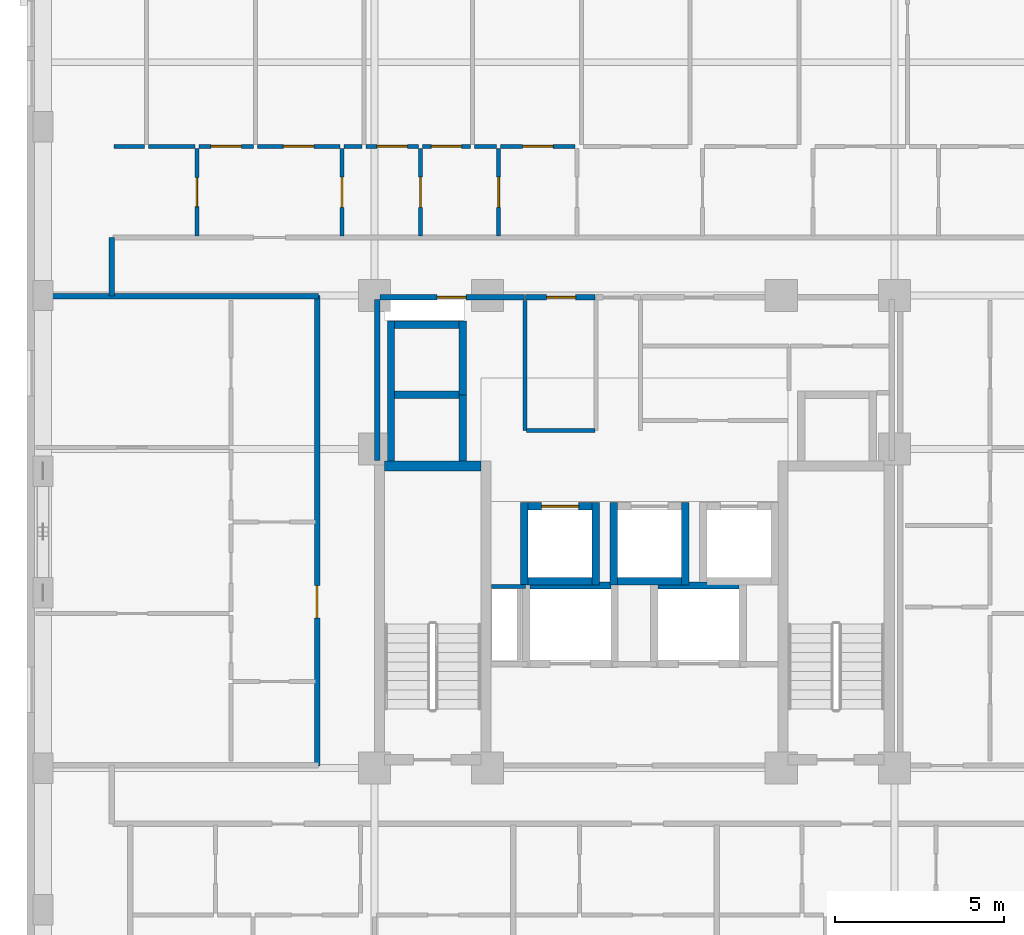
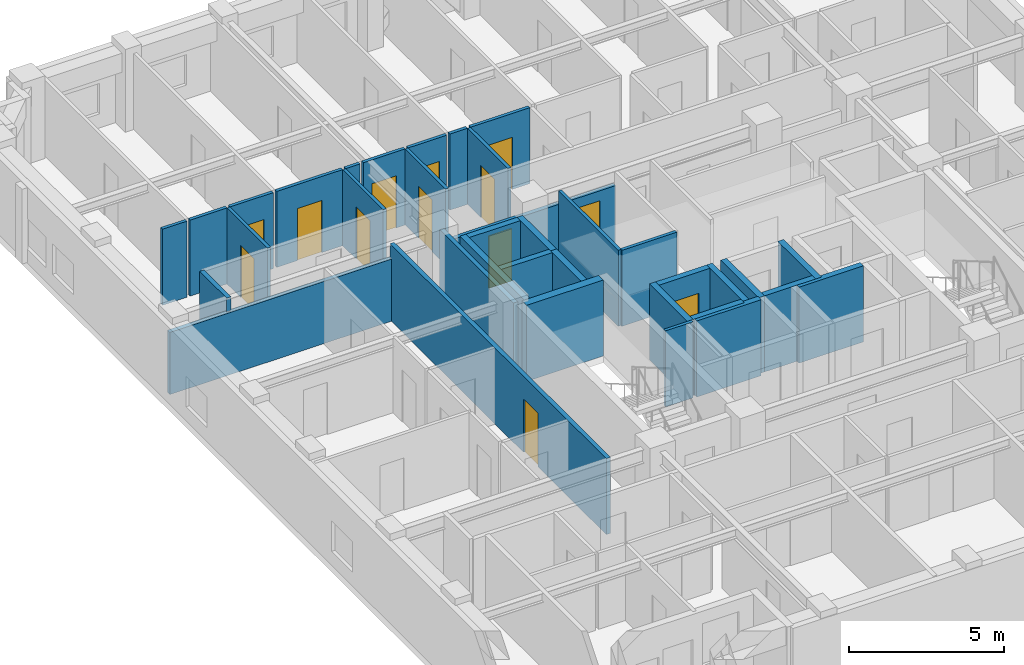
# One storey, part 5 of 11: 37 walls, 13 doors, 13 openings.
"""IFC4 building model written with IfcOpenShell, lengths in metres."""

from ifc_helpers import new_model, si_unit, derived_unit, direction, frame, frame_2d, origin, place, context, subcontext, project, spatial, rectangle, extrude, material, layer, layer_set, type_object, element, fill, save


model = new_model("IFC4")

# Units and contexts
model_context = context("Model", 3, precision=1e-05, world=origin(), true_north=direction((0.0, 1.0)))
body_context = subcontext(model_context, "Body", "Model", "MODEL_VIEW")
ifc_project = project(units=[si_unit("LENGTHUNIT", "METRE"), si_unit("AREAUNIT", "SQUARE_METRE"), si_unit("VOLUMEUNIT", "CUBIC_METRE"), si_unit("PLANEANGLEUNIT", "RADIAN"), si_unit("MASSUNIT", "GRAM", prefix="KILO"), derived_unit("THERMALTRANSMITTANCEUNIT", [(si_unit("MASSUNIT", "GRAM", prefix="KILO"), 1), (si_unit("TIMEUNIT", "SECOND"), -3), (si_unit("THERMODYNAMICTEMPERATUREUNIT", "KELVIN"), -1)])], contexts=[model_context])

# Site, building, storey
site_placement = place(None, origin())
site = spatial("IfcSite", under=ifc_project, at=site_placement, CompositionType="ELEMENT")
building_placement = place(site_placement, origin())
building = spatial("IfcBuilding", under=site, at=building_placement, Name="Korrvale Station Residences", CompositionType="ELEMENT")
storey_placement = place(building_placement, frame((0.0, 0.0, 160.14990234375)))
storey = spatial("IfcBuildingStorey", under=building, at=storey_placement, Name="L46", CompositionType="ELEMENT", Elevation=160.14990234375)

# Walls
ifc_material_1 = material(Name="Concrete C60/75", Category="concrete")
ifc_layer_1 = layer(ifc_material_1, 0.300048828125, Name="Concrete C60/75")
ifc_layer_set_1 = layer_set([ifc_layer_1], Name="Concrete C60/75")
wall_type_1 = type_object("IfcWallType", Name="WAL-CORE-300-C60", PredefinedType="SHEAR", material=ifc_layer_set_1)
wall_1_placement = place(storey_placement, frame((18.10009765625, 23.949951171875, 0.0), z_axis=(0.0, 0.0, 1.0), x_axis=(1.0, 0.0, 0.0)))
element("IfcWall", 1, at=wall_1_placement, inside=storey, type_object=wall_type_1, Name="L46 ST-1 Core Shear Wall North", PredefinedType="SHEAR", context=body_context, shape_type="SweptSolid", body=[
    extrude(rectangle(XDim=2.849853515625, YDim=0.300048828125, at=frame_2d((1.4248046875, 0.0))), origin(), (0.0, 0.0, 1.0), 2.989990234375),
])
ifc_material_2 = material(Name="Acoustic steel-stud gypsum board partition", Category="steel")
ifc_layer_2 = layer(ifc_material_2, 0.1201171875, Name="Acoustic steel-stud gypsum board partition")
ifc_layer_set_2 = layer_set([ifc_layer_2], Name="Acoustic steel-stud gypsum board partition")
wall_type_2 = type_object("IfcWallType", Name="WAL-PART-125", PredefinedType="PARTITIONING", material=ifc_layer_set_2)
wall_2_placement = place(storey_placement, frame((22.280029296875, 20.3798828125, 0.0), z_axis=(0.0, 0.0, 1.0), x_axis=(-1.0, 0.0, 0.0)))
element("IfcWall", 2, at=wall_2_placement, inside=storey, type_object=wall_type_2, Name="L46 Core Partition CW-RSWT-N", PredefinedType="PARTITIONING", context=body_context, shape_type="SweptSolid", body=[
    extrude(rectangle(XDim=1.02001953125, YDim=0.1201171875, at=frame_2d((0.510009765625, 0.0))), origin(), (0.0, 0.0, 1.0), 2.989990234375),
])
wall_3_placement = place(storey_placement, frame((22.260009765625, 25.0, 0.0), z_axis=(0.0, 0.0, 1.0), x_axis=(0.0, 1.0, 0.0)))
element("IfcWall", 3, at=wall_3_placement, inside=storey, type_object=wall_type_2, Name="L46 Core Partition CW-FPLW-W", PredefinedType="PARTITIONING", context=body_context, shape_type="SweptSolid", body=[
    extrude(rectangle(XDim=3.860107421875, YDim=0.1201171875, at=frame_2d((1.93017578125, 0.0))), origin(), (0.0, 0.0, 1.0), 2.989990234375),
])
wall_4_placement = place(storey_placement, frame((22.300048828125, 25.0, 0.0), z_axis=(0.0, 0.0, 1.0), x_axis=(1.0, 0.0, 0.0)))
element("IfcWall", 4, at=wall_4_placement, inside=storey, type_object=wall_type_2, Name="L46 Core Partition CW-FPLW-S", PredefinedType="PARTITIONING", context=body_context, shape_type="SweptSolid", body=[
    extrude(rectangle(XDim=2.0400390625, YDim=0.1201171875, at=frame_2d((1.02001953125, 0.0))), origin(), (0.0, 0.0, 1.0), 2.989990234375),
])

# Wall, opening, door
wall_5_placement = place(storey_placement, frame((12.5400390625, 30.760009765625, 0.0), z_axis=(0.0, 0.0, 1.0), x_axis=(0.0, 1.0, 0.0)))
wall_5 = element("IfcWall", 5, at=wall_5_placement, inside=storey, type_object=wall_type_2, Name="L46 Suite Partition U04-V01", PredefinedType="PARTITIONING", context=body_context, shape_type="SweptSolid", body=[
    extrude(rectangle(XDim=2.60009765625, YDim=0.1201171875, at=frame_2d((1.300048828125, 0.0))), origin(), (0.0, 0.0, 1.0), 2.989990234375),
])
opening_1_placement = place(wall_5_placement, frame((0.8701171875, 0.0, 0.0)))
opening_1 = element("IfcOpeningElement", 6, at=opening_1_placement, cuts=wall_5, Name="Opening DB-860", PredefinedType="OPENING", context=body_context, shape_type="SweptSolid", body=[
    extrude(rectangle(XDim=0.860107421875, YDim=2.050048828125, at=frame_2d((0.43017578125, 1.02490234375))), frame((0.0, 0.070068359375, 0.0), z_axis=(0.0, -1.0, 0.0), x_axis=(1.0, 0.0, 0.0)), (0.0, 0.0, 1.0), 0.14013671875),
])
ifc_material_3 = material(Name="Moisture-resistant solid-core bathroom door", Category="timber")
door_type_1 = type_object("IfcDoorType", Name="DR-BATH-860", OperationType="NOTDEFINED", PredefinedType="DOOR", material=ifc_material_3)
door_1_placement = place(opening_1_placement, origin())
door_1 = element("IfcDoor", 7, at=door_1_placement, inside=storey, type_object=door_type_1, Name="L46 Studio Apartment L46-U04 Bathroom Door", OperationType="SINGLE_SWING_RIGHT", OverallHeight=2.050048828125, OverallWidth=0.860107421875, PredefinedType="DOOR", context=body_context, shape_type="SweptSolid", body=[
    extrude(rectangle(XDim=0.860107421875, YDim=2.050048828125, at=frame_2d((0.43017578125, 1.02490234375))), frame((0.0, 0.02490234375, 0.0), z_axis=(0.0, -1.0, 0.0), x_axis=(1.0, 0.0, 0.0)), (0.0, 0.0, 1.0), 0.050048828125),
])
fill(opening_1, door_1)

# Walls
wall_6_placement = place(storey_placement, frame((10.080078125, 33.419921875, 0.0), z_axis=(0.0, 0.0, 1.0), x_axis=(1.0, 0.0, 0.0)))
element("IfcWall", 8, at=wall_6_placement, inside=storey, type_object=wall_type_2, Name="L46 Suite Partition U04-H09", PredefinedType="PARTITIONING", context=body_context, shape_type="SweptSolid", body=[
    extrude(rectangle(XDim=0.909912109375, YDim=0.1201171875, at=frame_2d((0.455078125, 0.0))), origin(), (0.0, 0.0, 1.0), 2.989990234375),
])
wall_7_placement = place(storey_placement, frame((11.110107421875, 33.419921875, 0.0), z_axis=(0.0, 0.0, 1.0), x_axis=(1.0, 0.0, 0.0)))
element("IfcWall", 9, at=wall_7_placement, inside=storey, type_object=wall_type_2, Name="L46 Suite Partition U04-H010", PredefinedType="PARTITIONING", context=body_context, shape_type="SweptSolid", body=[
    extrude(rectangle(XDim=1.369873046875, YDim=0.1201171875, at=frame_2d((0.68505859375, 0.0))), origin(), (0.0, 0.0, 1.0), 2.989990234375),
])

# Wall, opening, door
wall_8_placement = place(storey_placement, frame((16.840087890625, 30.760009765625, 0.0), z_axis=(0.0, 0.0, 1.0), x_axis=(0.0, 1.0, 0.0)))
wall_8 = element("IfcWall", 10, at=wall_8_placement, inside=storey, type_object=wall_type_2, Name="L46 Suite Partition U04-V12", PredefinedType="PARTITIONING", context=body_context, shape_type="SweptSolid", body=[
    extrude(rectangle(XDim=2.60009765625, YDim=0.1201171875, at=frame_2d((1.300048828125, 0.0))), origin(), (0.0, 0.0, 1.0), 2.989990234375),
])
opening_2_placement = place(wall_8_placement, frame((0.85009765625, 0.0, 0.0)))
opening_2 = element("IfcOpeningElement", 11, at=opening_2_placement, cuts=wall_8, Name="Opening DI-900", PredefinedType="OPENING", context=body_context, shape_type="SweptSolid", body=[
    extrude(rectangle(XDim=0.89990234375, YDim=2.050048828125, at=frame_2d((0.449951171875, 1.02490234375))), frame((0.0, 0.070068359375, 0.0), z_axis=(0.0, -1.0, 0.0), x_axis=(1.0, 0.0, 0.0)), (0.0, 0.0, 1.0), 0.14013671875),
])
ifc_material_4 = material(Name="Painted solid-core timber interior room door", Category="wood")
door_type_2 = type_object("IfcDoorType", Name="DR-INT-900", OperationType="NOTDEFINED", PredefinedType="DOOR", material=ifc_material_4)
door_2_placement = place(opening_2_placement, origin())
door_2 = element("IfcDoor", 12, at=door_2_placement, inside=storey, type_object=door_type_2, Name="L46 Studio Apartment L46-U04 Kitchen Door", OperationType="SINGLE_SWING_LEFT", OverallHeight=2.050048828125, OverallWidth=0.89990234375, PredefinedType="DOOR", context=body_context, shape_type="SweptSolid", body=[
    extrude(rectangle(XDim=0.89990234375, YDim=2.050048828125, at=frame_2d((0.449951171875, 1.02490234375))), frame((0.0, 0.02490234375, 0.0), z_axis=(0.0, -1.0, 0.0), x_axis=(1.0, 0.0, 0.0)), (0.0, 0.0, 1.0), 0.050048828125),
])
fill(opening_2, door_2)

wall_9_placement = place(storey_placement, frame((12.60009765625, 33.419921875, 0.0), z_axis=(0.0, 0.0, 1.0), x_axis=(1.0, 0.0, 0.0)))
wall_9 = element("IfcWall", 13, at=wall_9_placement, inside=storey, type_object=wall_type_2, Name="L46 Suite Partition U04-H110", PredefinedType="PARTITIONING", context=body_context, shape_type="SweptSolid", body=[
    extrude(rectangle(XDim=1.60986328125, YDim=0.1201171875, at=frame_2d((0.804931640625, 0.0))), origin(), (0.0, 0.0, 1.0), 2.989990234375),
])
opening_3_placement = place(wall_9_placement, frame((0.35498046875, 0.0, 0.0)))
opening_3 = element("IfcOpeningElement", 14, at=opening_3_placement, cuts=wall_9, Name="Opening DI-900", PredefinedType="OPENING", context=body_context, shape_type="SweptSolid", body=[
    extrude(rectangle(XDim=0.89990234375, YDim=2.050048828125, at=frame_2d((0.449951171875, 1.02490234375))), frame((0.0, 0.070068359375, 0.0), z_axis=(0.0, -1.0, 0.0), x_axis=(1.0, 0.0, 0.0)), (0.0, 0.0, 1.0), 0.14013671875),
])
door_3_placement = place(opening_3_placement, origin())
door_3 = element("IfcDoor", 15, at=door_3_placement, inside=storey, type_object=door_type_2, Name="L46 Studio Apartment L46-U04 Kitchen Door", OperationType="SINGLE_SWING_RIGHT", OverallHeight=2.050048828125, OverallWidth=0.89990234375, PredefinedType="DOOR", context=body_context, shape_type="SweptSolid", body=[
    extrude(rectangle(XDim=0.89990234375, YDim=2.050048828125, at=frame_2d((0.449951171875, 1.02490234375))), frame((0.0, 0.02490234375, 0.0), z_axis=(0.0, -1.0, 0.0), x_axis=(1.0, 0.0, 0.0)), (0.0, 0.0, 1.0), 0.050048828125),
])
fill(opening_3, door_3)

wall_10_placement = place(storey_placement, frame((14.330078125, 33.419921875, 0.0), z_axis=(0.0, 0.0, 1.0), x_axis=(1.0, 0.0, 0.0)))
wall_10 = element("IfcWall", 16, at=wall_10_placement, inside=storey, type_object=wall_type_2, Name="L46 Suite Partition U04-H111", PredefinedType="PARTITIONING", context=body_context, shape_type="SweptSolid", body=[
    extrude(rectangle(XDim=2.449951171875, YDim=0.1201171875, at=frame_2d((1.22509765625, 0.0))), origin(), (0.0, 0.0, 1.0), 2.989990234375),
])
opening_4_placement = place(wall_10_placement, frame((0.77490234375, 0.0, 0.0)))
opening_4 = element("IfcOpeningElement", 17, at=opening_4_placement, cuts=wall_10, Name="Opening DI-900", PredefinedType="OPENING", context=body_context, shape_type="SweptSolid", body=[
    extrude(rectangle(XDim=0.89990234375, YDim=2.050048828125, at=frame_2d((0.449951171875, 1.02490234375))), frame((0.0, 0.070068359375, 0.0), z_axis=(0.0, -1.0, 0.0), x_axis=(1.0, 0.0, 0.0)), (0.0, 0.0, 1.0), 0.14013671875),
])
door_4_placement = place(opening_4_placement, origin())
door_4 = element("IfcDoor", 18, at=door_4_placement, inside=storey, type_object=door_type_2, Name="L46 Studio Apartment L46-U04 Kitchen Door", OperationType="SINGLE_SWING_LEFT", OverallHeight=2.050048828125, OverallWidth=0.89990234375, PredefinedType="DOOR", context=body_context, shape_type="SweptSolid", body=[
    extrude(rectangle(XDim=0.89990234375, YDim=2.050048828125, at=frame_2d((0.449951171875, 1.02490234375))), frame((0.0, 0.02490234375, 0.0), z_axis=(0.0, -1.0, 0.0), x_axis=(1.0, 0.0, 0.0)), (0.0, 0.0, 1.0), 0.050048828125),
])
fill(opening_4, door_4)

wall_11_placement = place(storey_placement, frame((19.159912109375, 30.760009765625, 0.0), z_axis=(0.0, 0.0, 1.0), x_axis=(0.0, 1.0, 0.0)))
wall_11 = element("IfcWall", 19, at=wall_11_placement, inside=storey, type_object=wall_type_2, Name="L46 Suite Partition U04-V23", PredefinedType="PARTITIONING", context=body_context, shape_type="SweptSolid", body=[
    extrude(rectangle(XDim=2.60009765625, YDim=0.1201171875, at=frame_2d((1.300048828125, 0.0))), origin(), (0.0, 0.0, 1.0), 2.989990234375),
])
opening_5_placement = place(wall_11_placement, frame((0.85009765625, 0.0, 0.0)))
opening_5 = element("IfcOpeningElement", 20, at=opening_5_placement, cuts=wall_11, Name="Opening DI-900", PredefinedType="OPENING", context=body_context, shape_type="SweptSolid", body=[
    extrude(rectangle(XDim=0.89990234375, YDim=2.050048828125, at=frame_2d((0.449951171875, 1.02490234375))), frame((0.0, 0.070068359375, 0.0), z_axis=(0.0, -1.0, 0.0), x_axis=(1.0, 0.0, 0.0)), (0.0, 0.0, 1.0), 0.14013671875),
])
door_5_placement = place(opening_5_placement, origin())
door_5 = element("IfcDoor", 21, at=door_5_placement, inside=storey, type_object=door_type_2, Name="L46 Studio Apartment L46-U04 Wardrobe Storage Room Door", OperationType="SINGLE_SWING_RIGHT", OverallHeight=2.050048828125, OverallWidth=0.89990234375, PredefinedType="DOOR", context=body_context, shape_type="SweptSolid", body=[
    extrude(rectangle(XDim=0.89990234375, YDim=2.050048828125, at=frame_2d((0.449951171875, 1.02490234375))), frame((0.0, 0.02490234375, 0.0), z_axis=(0.0, -1.0, 0.0), x_axis=(1.0, 0.0, 0.0)), (0.0, 0.0, 1.0), 0.050048828125),
])
fill(opening_5, door_5)

# Wall
wall_12_placement = place(storey_placement, frame((16.89990234375, 33.419921875, 0.0), z_axis=(0.0, 0.0, 1.0), x_axis=(1.0, 0.0, 0.0)))
element("IfcWall", 22, at=wall_12_placement, inside=storey, type_object=wall_type_2, Name="L46 Suite Partition U04-H211", PredefinedType="PARTITIONING", context=body_context, shape_type="SweptSolid", body=[
    extrude(rectangle(XDim=0.530029296875, YDim=0.1201171875, at=frame_2d((0.26513671875, 0.0))), origin(), (0.0, 0.0, 1.0), 2.989990234375),
])

# Wall, opening, door
wall_13_placement = place(storey_placement, frame((17.550048828125, 33.419921875, 0.0), z_axis=(0.0, 0.0, 1.0), x_axis=(1.0, 0.0, 0.0)))
wall_13 = element("IfcWall", 23, at=wall_13_placement, inside=storey, type_object=wall_type_2, Name="L46 Suite Partition U04-H212", PredefinedType="PARTITIONING", context=body_context, shape_type="SweptSolid", body=[
    extrude(rectangle(XDim=1.550048828125, YDim=0.1201171875, at=frame_2d((0.77490234375, 0.0))), origin(), (0.0, 0.0, 1.0), 2.989990234375),
])
opening_6_placement = place(wall_13_placement, frame((0.324951171875, 0.0, 0.0)))
opening_6 = element("IfcOpeningElement", 24, at=opening_6_placement, cuts=wall_13, Name="Opening DI-900", PredefinedType="OPENING", context=body_context, shape_type="SweptSolid", body=[
    extrude(rectangle(XDim=0.89990234375, YDim=2.050048828125, at=frame_2d((0.449951171875, 1.02490234375))), frame((0.0, 0.070068359375, 0.0), z_axis=(0.0, -1.0, 0.0), x_axis=(1.0, 0.0, 0.0)), (0.0, 0.0, 1.0), 0.14013671875),
])
door_6_placement = place(opening_6_placement, origin())
door_6 = element("IfcDoor", 25, at=door_6_placement, inside=storey, type_object=door_type_2, Name="L46 Studio Apartment L46-U04 Wardrobe Storage Room Door", OperationType="SINGLE_SWING_LEFT", OverallHeight=2.050048828125, OverallWidth=0.89990234375, PredefinedType="DOOR", context=body_context, shape_type="SweptSolid", body=[
    extrude(rectangle(XDim=0.89990234375, YDim=2.050048828125, at=frame_2d((0.449951171875, 1.02490234375))), frame((0.0, 0.02490234375, 0.0), z_axis=(0.0, -1.0, 0.0), x_axis=(1.0, 0.0, 0.0)), (0.0, 0.0, 1.0), 0.050048828125),
])
fill(opening_6, door_6)

wall_14_placement = place(storey_placement, frame((21.47998046875, 30.760009765625, 0.0), z_axis=(0.0, 0.0, 1.0), x_axis=(0.0, 1.0, 0.0)))
wall_14 = element("IfcWall", 26, at=wall_14_placement, inside=storey, type_object=wall_type_2, Name="L46 Suite Partition U04-V34", PredefinedType="PARTITIONING", context=body_context, shape_type="SweptSolid", body=[
    extrude(rectangle(XDim=2.60009765625, YDim=0.1201171875, at=frame_2d((1.300048828125, 0.0))), origin(), (0.0, 0.0, 1.0), 2.989990234375),
])
opening_7_placement = place(wall_14_placement, frame((0.85009765625, 0.0, 0.0)))
opening_7 = element("IfcOpeningElement", 27, at=opening_7_placement, cuts=wall_14, Name="Opening DI-900", PredefinedType="OPENING", context=body_context, shape_type="SweptSolid", body=[
    extrude(rectangle(XDim=0.89990234375, YDim=2.050048828125, at=frame_2d((0.449951171875, 1.02490234375))), frame((0.0, 0.070068359375, 0.0), z_axis=(0.0, -1.0, 0.0), x_axis=(1.0, 0.0, 0.0)), (0.0, 0.0, 1.0), 0.14013671875),
])
door_7_placement = place(opening_7_placement, origin())
door_7 = element("IfcDoor", 28, at=door_7_placement, inside=storey, type_object=door_type_2, Name="L46 Studio Apartment L46-U04 Wardrobe Storage Room Door", OperationType="SINGLE_SWING_RIGHT", OverallHeight=2.050048828125, OverallWidth=0.89990234375, PredefinedType="DOOR", context=body_context, shape_type="SweptSolid", body=[
    extrude(rectangle(XDim=0.89990234375, YDim=2.050048828125, at=frame_2d((0.449951171875, 1.02490234375))), frame((0.0, 0.02490234375, 0.0), z_axis=(0.0, -1.0, 0.0), x_axis=(1.0, 0.0, 0.0)), (0.0, 0.0, 1.0), 0.050048828125),
])
fill(opening_7, door_7)

wall_15_placement = place(storey_placement, frame((19.219970703125, 33.419921875, 0.0), z_axis=(0.0, 0.0, 1.0), x_axis=(1.0, 0.0, 0.0)))
wall_15 = element("IfcWall", 29, at=wall_15_placement, inside=storey, type_object=wall_type_2, Name="L46 Suite Partition U04-H312", PredefinedType="PARTITIONING", context=body_context, shape_type="SweptSolid", body=[
    extrude(rectangle(XDim=1.429931640625, YDim=0.1201171875, at=frame_2d((0.71484375, 0.0))), origin(), (0.0, 0.0, 1.0), 2.989990234375),
])
opening_8_placement = place(wall_15_placement, frame((0.264892578125, 0.0, 0.0)))
opening_8 = element("IfcOpeningElement", 30, at=opening_8_placement, cuts=wall_15, Name="Opening DI-900", PredefinedType="OPENING", context=body_context, shape_type="SweptSolid", body=[
    extrude(rectangle(XDim=0.89990234375, YDim=2.050048828125, at=frame_2d((0.449951171875, 1.02490234375))), frame((0.0, 0.070068359375, 0.0), z_axis=(0.0, -1.0, 0.0), x_axis=(1.0, 0.0, 0.0)), (0.0, 0.0, 1.0), 0.14013671875),
])
door_8_placement = place(opening_8_placement, origin())
door_8 = element("IfcDoor", 31, at=door_8_placement, inside=storey, type_object=door_type_2, Name="L46 Studio Apartment L46-U04 Wardrobe Storage Room Door", OperationType="SINGLE_SWING_LEFT", OverallHeight=2.050048828125, OverallWidth=0.89990234375, PredefinedType="DOOR", context=body_context, shape_type="SweptSolid", body=[
    extrude(rectangle(XDim=0.89990234375, YDim=2.050048828125, at=frame_2d((0.449951171875, 1.02490234375))), frame((0.0, 0.02490234375, 0.0), z_axis=(0.0, -1.0, 0.0), x_axis=(1.0, 0.0, 0.0)), (0.0, 0.0, 1.0), 0.050048828125),
])
fill(opening_8, door_8)

# Wall
wall_16_placement = place(storey_placement, frame((20.77001953125, 33.419921875, 0.0), z_axis=(0.0, 0.0, 1.0), x_axis=(1.0, 0.0, 0.0)))
element("IfcWall", 32, at=wall_16_placement, inside=storey, type_object=wall_type_2, Name="L46 Suite Partition U04-H313", PredefinedType="PARTITIONING", context=body_context, shape_type="SweptSolid", body=[
    extrude(rectangle(XDim=0.64990234375, YDim=0.1201171875, at=frame_2d((0.324951171875, 0.0))), origin(), (0.0, 0.0, 1.0), 2.989990234375),
])

# Wall, opening, door
wall_17_placement = place(storey_placement, frame((21.5400390625, 33.419921875, 0.0), z_axis=(0.0, 0.0, 1.0), x_axis=(1.0, 0.0, 0.0)))
wall_17 = element("IfcWall", 33, at=wall_17_placement, inside=storey, type_object=wall_type_2, Name="L46 Suite Partition U04-H413", PredefinedType="PARTITIONING", context=body_context, shape_type="SweptSolid", body=[
    extrude(rectangle(XDim=2.199951171875, YDim=0.1201171875, at=frame_2d((1.10009765625, 0.0))), origin(), (0.0, 0.0, 1.0), 2.989990234375),
])
opening_9_placement = place(wall_17_placement, frame((0.64990234375, 0.0, 0.0)))
opening_9 = element("IfcOpeningElement", 34, at=opening_9_placement, cuts=wall_17, Name="Opening DI-900", PredefinedType="OPENING", context=body_context, shape_type="SweptSolid", body=[
    extrude(rectangle(XDim=0.89990234375, YDim=2.050048828125, at=frame_2d((0.449951171875, 1.02490234375))), frame((0.0, 0.070068359375, 0.0), z_axis=(0.0, -1.0, 0.0), x_axis=(1.0, 0.0, 0.0)), (0.0, 0.0, 1.0), 0.14013671875),
])
door_9_placement = place(opening_9_placement, origin())
door_9 = element("IfcDoor", 35, at=door_9_placement, inside=storey, type_object=door_type_2, Name="L46 Studio Apartment L46-U04 Wardrobe Storage Room Door", OperationType="SINGLE_SWING_LEFT", OverallHeight=2.050048828125, OverallWidth=0.89990234375, PredefinedType="DOOR", context=body_context, shape_type="SweptSolid", body=[
    extrude(rectangle(XDim=0.89990234375, YDim=2.050048828125, at=frame_2d((0.449951171875, 1.02490234375))), frame((0.0, 0.02490234375, 0.0), z_axis=(0.0, -1.0, 0.0), x_axis=(1.0, 0.0, 0.0)), (0.0, 0.0, 1.0), 0.050048828125),
])
fill(opening_9, door_9)

# Wall
ifc_material_5 = material(Name="Fire-rated twin-stud gypsum and mineral wool shaftwall assembly", Category="gypsum")
ifc_layer_3 = layer(ifc_material_5, 0.159912109375, Name="Fire-rated twin-stud gypsum and mineral wool shaftwall assembly")
ifc_layer_set_3 = layer_set([ifc_layer_3], Name="Fire-rated twin-stud gypsum and mineral wool shaftwall assembly")
wall_type_3 = type_object("IfcWallType", Name="WAL-PART-200", PredefinedType="PARTITIONING", material=ifc_layer_set_3)
wall_18_placement = place(storey_placement, frame((17.8798828125, 24.1201171875, 0.0), z_axis=(0.0, 0.0, 1.0), x_axis=(0.0, 1.0, 0.0)))
element("IfcWall", 36, at=wall_18_placement, inside=storey, type_object=wall_type_3, Name="L46 Core Partition CW-W-N", PredefinedType="PARTITIONING", context=body_context, shape_type="SweptSolid", body=[
    extrude(rectangle(XDim=4.759765625, YDim=0.159912109375, at=frame_2d((2.3798828125, 0.0))), origin(), (0.0, 0.0, 1.0), 2.989990234375),
])

# Wall, opening, door
wall_19_placement = place(storey_placement, frame((17.9599609375, 28.949951171875, 0.0), z_axis=(0.0, 0.0, 1.0), x_axis=(1.0, 0.0, 0.0)))
wall_19 = element("IfcWall", 37, at=wall_19_placement, inside=storey, type_object=wall_type_3, Name="L46 Core Partition CW-NW", PredefinedType="PARTITIONING", context=body_context, shape_type="SweptSolid", body=[
    extrude(rectangle(XDim=4.2900390625, YDim=0.159912109375, at=frame_2d((2.14501953125, 0.0))), origin(), (0.0, 0.0, 1.0), 2.442138671875),
])
opening_10_placement = place(wall_19_placement, frame((1.695068359375, 0.0, 0.0)))
opening_10 = element("IfcOpeningElement", 38, at=opening_10_placement, cuts=wall_19, Name="Opening DB-860", PredefinedType="OPENING", context=body_context, shape_type="SweptSolid", body=[
    extrude(rectangle(XDim=0.860107421875, YDim=2.050048828125, at=frame_2d((0.43017578125, 1.02490234375))), frame((0.0, 0.08984375, 0.0), z_axis=(0.0, -1.0, 0.0), x_axis=(1.0, 0.0, 0.0)), (0.0, 0.0, 1.0), 0.179931640625),
])
door_10_placement = place(opening_10_placement, origin())
door_10 = element("IfcDoor", 39, at=door_10_placement, inside=storey, type_object=door_type_1, Name="L46 Electrical Riser Access Door", OperationType="SINGLE_SWING_RIGHT", OverallHeight=2.050048828125, OverallWidth=0.860107421875, PredefinedType="DOOR", context=body_context, shape_type="SweptSolid", body=[
    extrude(rectangle(XDim=0.860107421875, YDim=2.050048828125, at=frame_2d((0.43017578125, 1.02490234375))), frame((0.0, 0.02490234375, 0.0), z_axis=(0.0, -1.0, 0.0), x_axis=(1.0, 0.0, 0.0)), (0.0, 0.0, 1.0), 0.050048828125),
])
fill(opening_10, door_10)

wall_20_placement = place(storey_placement, frame((22.280029296875, 28.949951171875, 0.0), z_axis=(0.0, 0.0, 1.0), x_axis=(1.0, 0.0, 0.0)))
wall_20 = element("IfcWall", 40, at=wall_20_placement, inside=storey, type_object=wall_type_3, Name="L46 Core Partition CW-FPLW-N", PredefinedType="PARTITIONING", context=body_context, shape_type="SweptSolid", body=[
    extrude(rectangle(XDim=2.06005859375, YDim=0.159912109375, at=frame_2d((1.030029296875, 0.0))), origin(), (0.0, 0.0, 1.0), 2.442138671875),
])
opening_11_placement = place(wall_20_placement, frame((0.6201171875, 0.0, 0.0)))
opening_11 = element("IfcOpeningElement", 41, at=opening_11_placement, cuts=wall_20, Name="Opening DB-860", PredefinedType="OPENING", context=body_context, shape_type="SweptSolid", body=[
    extrude(rectangle(XDim=0.860107421875, YDim=2.050048828125, at=frame_2d((0.43017578125, 1.02490234375))), frame((0.0, 0.08984375, 0.0), z_axis=(0.0, -1.0, 0.0), x_axis=(1.0, 0.0, 0.0)), (0.0, 0.0, 1.0), 0.179931640625),
])
door_11_placement = place(opening_11_placement, origin())
door_11 = element("IfcDoor", 42, at=door_11_placement, inside=storey, type_object=door_type_1, Name="L46 Resident Parcel Room Door", OperationType="SINGLE_SWING_RIGHT", OverallHeight=2.050048828125, OverallWidth=0.860107421875, PredefinedType="DOOR", context=body_context, shape_type="SweptSolid", body=[
    extrude(rectangle(XDim=0.860107421875, YDim=2.050048828125, at=frame_2d((0.43017578125, 1.02490234375))), frame((0.0, 0.02490234375, 0.0), z_axis=(0.0, -1.0, 0.0), x_axis=(1.0, 0.0, 0.0)), (0.0, 0.0, 1.0), 0.050048828125),
])
fill(opening_11, door_11)

# Walls
wall_21_placement = place(storey_placement, frame((10.02001953125, 28.97998046875, 0.0), z_axis=(0.0, 0.0, 1.0), x_axis=(0.0, 1.0, 0.0)))
element("IfcWall", 43, at=wall_21_placement, inside=storey, type_object=wall_type_3, Name="L46 Corridor North West Cap", PredefinedType="PARTITIONING", context=body_context, shape_type="SweptSolid", body=[
    extrude(rectangle(XDim=1.739990234375, YDim=0.159912109375, at=frame_2d((0.8701171875, 0.0))), origin(), (0.0, 0.0, 1.0), 2.989990234375),
])
wall_22_placement = place(storey_placement, frame((7.780029296875, 28.97998046875, 0.0), z_axis=(0.0, 0.0, 1.0), x_axis=(1.0, 0.0, 0.0)))
element("IfcWall", 44, at=wall_22_placement, inside=storey, type_object=wall_type_3, Name="L46 West Wing North Corridor Wall", PredefinedType="PARTITIONING", context=body_context, shape_type="SweptSolid", body=[
    extrude(rectangle(XDim=8.35986328125, YDim=0.159912109375, at=frame_2d((4.179931640625, 0.0))), origin(), (0.0, 0.0, 1.0), 2.442138671875),
])

# Wall, opening, door
wall_23_placement = place(storey_placement, frame((16.10009765625, 15.070068359375, 0.0), z_axis=(0.0, 0.0, 1.0), x_axis=(0.0, 1.0, 0.0)))
wall_23 = element("IfcWall", 45, at=wall_23_placement, inside=storey, type_object=wall_type_3, Name="L46 Rated Corridor Wall W", PredefinedType="PARTITIONING", context=body_context, shape_type="SweptSolid", body=[
    extrude(rectangle(XDim=13.929931640625, YDim=0.159912109375, at=frame_2d((6.96484375, 0.0))), origin(), (0.0, 0.0, 1.0), 2.989990234375),
])
opening_12_placement = place(wall_23_placement, frame((4.385009765625, 0.0, 0.0)))
opening_12 = element("IfcOpeningElement", 46, at=opening_12_placement, cuts=wall_23, Name="Opening UD-950", PredefinedType="OPENING", context=body_context, shape_type="SweptSolid", body=[
    extrude(rectangle(XDim=0.949951171875, YDim=2.10009765625, at=frame_2d((0.47509765625, 1.050048828125))), frame((0.0, 0.08984375, 0.0), z_axis=(0.0, -1.0, 0.0), x_axis=(1.0, 0.0, 0.0)), (0.0, 0.0, 1.0), 0.179931640625),
])
ifc_material_6 = material(Name="Solid-core acoustic oak apartment entrance door", Category="timber")
door_type_3 = type_object("IfcDoorType", Name="DR-UNIT-950", OperationType="NOTDEFINED", PredefinedType="DOOR", material=ifc_material_6)
door_12_placement = place(opening_12_placement, origin())
door_12 = element("IfcDoor", 47, at=door_12_placement, inside=storey, type_object=door_type_3, Name="L46 Apartment L46-U05 Entrance Door", OperationType="SINGLE_SWING_RIGHT", OverallHeight=2.10009765625, OverallWidth=0.949951171875, PredefinedType="DOOR", context=body_context, shape_type="SweptSolid", body=[
    extrude(rectangle(XDim=0.949951171875, YDim=2.10009765625, at=frame_2d((0.47509765625, 1.050048828125))), frame((0.0, 0.02490234375, 0.0), z_axis=(0.0, -1.0, 0.0), x_axis=(1.0, 0.0, 0.0)), (0.0, 0.0, 1.0), 0.050048828125),
])
fill(opening_12, door_12)

# Wall
ifc_layer_4 = layer(ifc_material_1, 0.219970703125, Name="Concrete C60/75")
ifc_layer_set_4 = layer_set([ifc_layer_4], Name="Concrete C60/75")
wall_type_4 = type_object("IfcWallType", Name="WAL-SHAFT-220-C60", PredefinedType="SHEAR", material=ifc_layer_set_4)
wall_24_placement = place(storey_placement, frame((22.35009765625, 20.5400390625, 0.0), z_axis=(0.0, 0.0, 1.0), x_axis=(1.0, 0.0, 0.0)))
element("IfcWall", 48, at=wall_24_placement, inside=storey, type_object=wall_type_4, Name="L46 Elevator PM-1 Hoistway Wall South", PredefinedType="SHEAR", context=body_context, shape_type="SweptSolid", body=[
    extrude(rectangle(XDim=1.89990234375, YDim=0.219970703125, at=frame_2d((0.949951171875, 0.0))), origin(), (0.0, 0.0, 1.0), 2.989990234375),
])

# Wall, opening, door
wall_25_placement = place(storey_placement, frame((22.35009765625, 22.760009765625, 0.0), z_axis=(0.0, 0.0, 1.0), x_axis=(1.0, 0.0, 0.0)))
wall_25 = element("IfcWall", 49, at=wall_25_placement, inside=storey, type_object=wall_type_4, Name="L46 Elevator PM-1 Hoistway Wall North", PredefinedType="SHEAR", context=body_context, shape_type="SweptSolid", body=[
    extrude(rectangle(XDim=1.89990234375, YDim=0.219970703125, at=frame_2d((0.949951171875, 0.0))), origin(), (0.0, 0.0, 1.0), 2.989990234375),
])
opening_13_placement = place(wall_25_placement, frame((0.39990234375, 0.0, 0.0)))
opening_13 = element("IfcOpeningElement", 50, at=opening_13_placement, cuts=wall_25, Name="Opening LD-1100", PredefinedType="OPENING", context=body_context, shape_type="SweptSolid", body=[
    extrude(rectangle(XDim=1.10009765625, YDim=2.14990234375, at=frame_2d((0.550048828125, 1.074951171875))), frame((0.0, 0.1201171875, 0.0), z_axis=(0.0, -1.0, 0.0), x_axis=(1.0, 0.0, 0.0)), (0.0, 0.0, 1.0), 0.239990234375),
])
ifc_material_7 = material(Name="Brushed stainless-steel elevator landing sliding door", Category="steel")
door_type_4 = type_object("IfcDoorType", Name="DR-LIFT-1100", OperationType="SLIDING_TO_LEFT", PredefinedType="DOOR", material=ifc_material_7)
door_13_placement = place(opening_13_placement, origin())
door_13 = element("IfcDoor", 51, at=door_13_placement, inside=storey, type_object=door_type_4, Name="L46 Elevator PM-1 Sliding Landing Door", OperationType="SLIDING_TO_LEFT", OverallHeight=2.14990234375, OverallWidth=1.10009765625, PredefinedType="DOOR", context=body_context, shape_type="SweptSolid", body=[
    extrude(rectangle(XDim=1.10009765625, YDim=2.14990234375, at=frame_2d((0.550048828125, 1.074951171875))), frame((0.0, 0.02490234375, 0.0), z_axis=(0.0, -1.0, 0.0), x_axis=(1.0, 0.0, 0.0)), (0.0, 0.0, 1.0), 0.050048828125),
])
fill(opening_13, door_13)

# Walls
for number, where, z_axis, x_axis, name in (
    (52, (22.239990234375, 20.429931640625, 0.0), (0.0, 0.0, 1.0), (0.0, 1.0, 0.0), "L46 Elevator PM-1 Hoistway Wall West"),
    (53, (24.360107421875, 20.429931640625, 0.0), (0.0, 0.0, 1.0), (0.0, 1.0, 0.0), "L46 Elevator PM-1 Hoistway Wall East"),
):
    element("IfcWall", number, at=place(storey_placement, frame(where, z_axis=z_axis, x_axis=x_axis)), inside=storey, type_object=wall_type_4, Name=name, PredefinedType="SHEAR", context=body_context, shape_type="SweptSolid", body=[
        extrude(rectangle(XDim=2.440185546875, YDim=0.219970703125, at=frame_2d((1.22021484375, 0.0))), origin(), (0.0, 0.0, 1.0), 2.989990234375),
    ])
wall_26_placement = place(storey_placement, frame((25.0, 20.5400390625, 0.0), z_axis=(0.0, 0.0, 1.0), x_axis=(1.0, 0.0, 0.0)))
element("IfcWall", 54, at=wall_26_placement, inside=storey, type_object=wall_type_4, Name="L46 Elevator PM-2 Hoistway Wall South", PredefinedType="SHEAR", context=body_context, shape_type="SweptSolid", body=[
    extrude(rectangle(XDim=1.89990234375, YDim=0.219970703125, at=frame_2d((0.949951171875, 0.0))), origin(), (0.0, 0.0, 1.0), 2.989990234375),
])
for number, where, z_axis, x_axis, name in (
    (55, (24.889892578125, 20.429931640625, 0.0), (0.0, 0.0, 1.0), (0.0, 1.0, 0.0), "L46 Elevator PM-2 Hoistway Wall West"),
    (56, (27.010009765625, 20.429931640625, 0.0), (0.0, 0.0, 1.0), (0.0, 1.0, 0.0), "L46 Elevator PM-2 Hoistway Wall East"),
):
    element("IfcWall", number, at=place(storey_placement, frame(where, z_axis=z_axis, x_axis=x_axis)), inside=storey, type_object=wall_type_4, Name=name, PredefinedType="SHEAR", context=body_context, shape_type="SweptSolid", body=[
        extrude(rectangle(XDim=2.440185546875, YDim=0.219970703125, at=frame_2d((1.22021484375, 0.0))), origin(), (0.0, 0.0, 1.0), 2.989990234375),
    ])
wall_27_placement = place(storey_placement, frame((18.2900390625, 24.10009765625, 0.0), z_axis=(0.0, 0.0, 1.0), x_axis=(0.0, 1.0, 0.0)))
element("IfcWall", 57, at=wall_27_placement, inside=storey, type_object=wall_type_4, Name="L46 Elevator PH-1 Hoistway Wall West", PredefinedType="SHEAR", context=body_context, shape_type="SweptSolid", body=[
    extrude(rectangle(XDim=4.139892578125, YDim=0.219970703125, at=frame_2d((2.06982421875, 0.0))), origin(), (0.0, 0.0, 1.0), 2.989990234375),
])
wall_28_placement = place(storey_placement, frame((20.409912109375, 24.10009765625, 0.0), z_axis=(0.0, 0.0, 1.0), x_axis=(0.0, 1.0, 0.0)))
element("IfcWall", 58, at=wall_28_placement, inside=storey, type_object=wall_type_4, Name="L46 Elevator PH-1 Hoistway Wall East", PredefinedType="SHEAR", context=body_context, shape_type="SweptSolid", body=[
    extrude(rectangle(XDim=1.9599609375, YDim=0.219970703125, at=frame_2d((0.97998046875, 0.0))), origin(), (0.0, 0.0, 1.0), 2.989990234375),
])
for number, where, z_axis, x_axis, name in (
    (59, (18.39990234375, 26.06005859375, 0.0), (0.0, 0.0, 1.0), (1.0, 0.0, 0.0), "L46 Elevator PH-2 Hoistway Wall South"),
    (60, (18.39990234375, 28.1298828125, 0.0), (0.0, 0.0, 1.0), (1.0, 0.0, 0.0), "L46 Elevator PH-2 Hoistway Wall North"),
):
    element("IfcWall", number, at=place(storey_placement, frame(where, z_axis=z_axis, x_axis=x_axis)), inside=storey, type_object=wall_type_4, Name=name, PredefinedType="SHEAR", context=body_context, shape_type="SweptSolid", body=[
        extrude(rectangle(XDim=1.900146484375, YDim=0.219970703125, at=frame_2d((0.9501953125, 0.0))), origin(), (0.0, 0.0, 1.0), 2.989990234375),
    ])
wall_29_placement = place(storey_placement, frame((20.409912109375, 26.06005859375, 0.0), z_axis=(0.0, 0.0, 1.0), x_axis=(0.0, 1.0, 0.0)))
element("IfcWall", 61, at=wall_29_placement, inside=storey, type_object=wall_type_4, Name="L46 Elevator PH-2 Hoistway Wall East", PredefinedType="SHEAR", context=body_context, shape_type="SweptSolid", body=[
    extrude(rectangle(XDim=2.179931640625, YDim=0.219970703125, at=frame_2d((1.08984375, 0.0))), origin(), (0.0, 0.0, 1.0), 2.989990234375),
])
for number, where, z_axis, x_axis, name in (
    (62, (22.39990234375, 20.409912109375, 0.0), (0.0, 0.0, 1.0), (1.0, 0.0, 0.0), "L46 Elevator FFL-1 Hoistway Wall North"),
    (63, (26.199951171875, 20.409912109375, 0.0), (0.0, 0.0, 1.0), (1.0, 0.0, 0.0), "L46 Elevator FFL-2 Hoistway Wall North"),
):
    element("IfcWall", number, at=place(storey_placement, frame(where, z_axis=z_axis, x_axis=x_axis)), inside=storey, type_object=wall_type_4, Name=name, PredefinedType="SHEAR", context=body_context, shape_type="SweptSolid", body=[
        extrude(rectangle(XDim=2.400146484375, YDim=0.219970703125, at=frame_2d((1.2001953125, 0.0))), origin(), (0.0, 0.0, 1.0), 2.989990234375),
    ])

save(model, "model.ifc")
